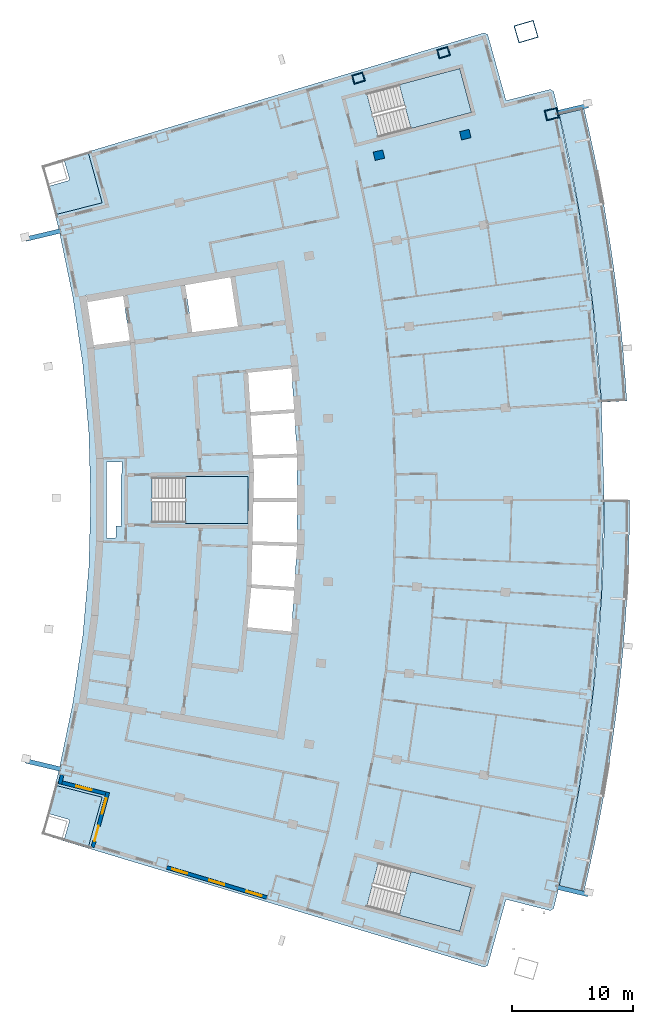
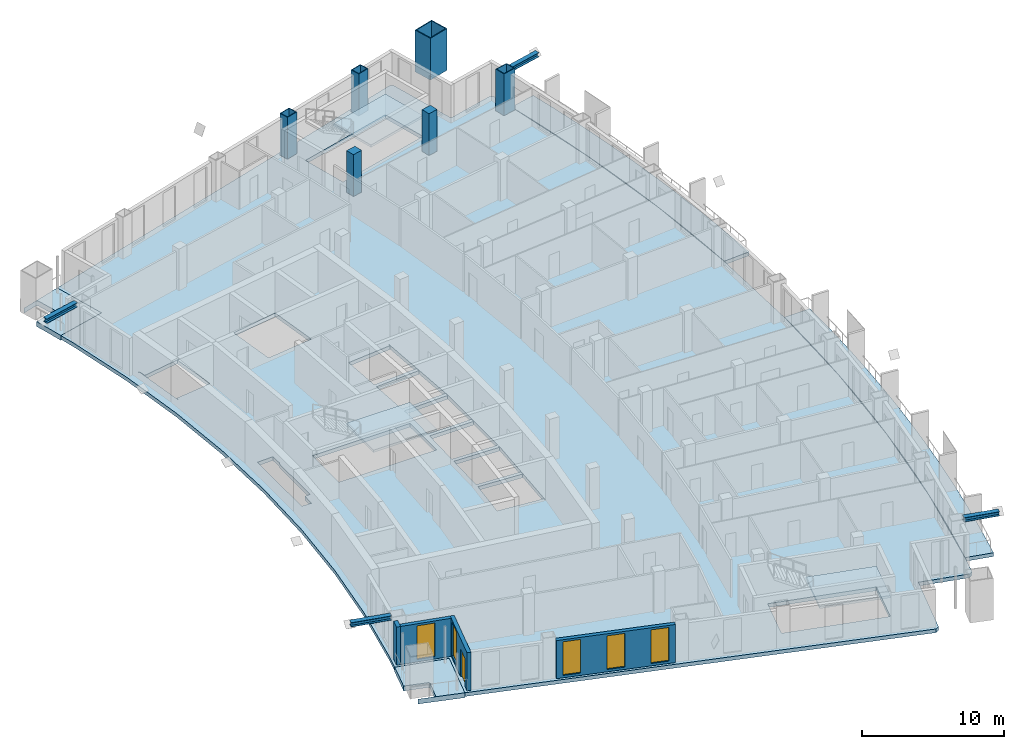
# One storey, part 8 of 17: 8 slabs, 6 columns, 5 windows, 4 members, 4 walls, 1 door, 6 openings, 3 elements without a shape of their own.
"""IFC4 building model written with IfcOpenShell, lengths in metres."""

from ifc_helpers import new_model, si_unit, direction, frame, frame_2d, origin, origin_2d, place, context, subcontext, project, spatial, polyline, rectangle, hollow_rectangle, i_section, outline, extrude, material, layer, layer_set, material_profile, profile_set, type_object, element, fill, aggregate, save


model = new_model("IFC4")

# Units and contexts
model_context = context("Model", 3, precision=1e-05, world=origin(), true_north=direction((0.0, 1.0)))
body_context = subcontext(model_context, "Body", "Model", "MODEL_VIEW")
ifc_project = project(units=[si_unit("LENGTHUNIT", "METRE"), si_unit("AREAUNIT", "SQUARE_METRE"), si_unit("VOLUMEUNIT", "CUBIC_METRE"), si_unit("PLANEANGLEUNIT", "RADIAN"), si_unit("MASSUNIT", "GRAM", prefix="KILO")], contexts=[model_context])

# Site, building, storey
site_placement = place(None, origin())
site = spatial("IfcSite", under=ifc_project, at=site_placement, CompositionType="ELEMENT")
building_placement = place(site_placement, origin())
building = spatial("IfcBuilding", under=site, at=building_placement, Name="Alderwake Tower", CompositionType="ELEMENT")
storey_placement = place(building_placement, frame((0.0, 0.0, 218.0)))
storey = spatial("IfcBuildingStorey", under=building, at=storey_placement, Name="L54", CompositionType="ELEMENT", Elevation=218.0)

# Columns
ifc_material_1 = material(Name="Steel ASTM A572 Grade 50 concrete filled C70/85", Category="concrete")
ifc_material_profile_1 = material_profile(ifc_material_1, hollow_rectangle(XDim=0.75, YDim=0.949951171875, WallThickness=0.054931640625, at=origin_2d()), Name="BOX 950X750X55")
ifc_profile_set_1 = profile_set([ifc_material_profile_1], Name="Steel ASTM A572 Grade 50 concrete filled C70/85")
column_type_1 = type_object("IfcColumnType", Name="End column Z4", PredefinedType="COLUMN", material=ifc_profile_set_1)
for number, where, z_axis, x_axis, name in (
    (1, (38.10400390625, 95.831787109375, 0.0), (0.0, 0.0, 1.0), (-0.28287886882, 0.959155641997, 0.0), "Column R12-C3"),
    (2, (45.127685546875, 97.9404296875, 0.0), (0.0, 0.0, 1.0), (-0.283141682853, 0.959078092457, 0.0), "Column R12-C4"),
):
    element("IfcColumn", number, at=place(storey_placement, frame(where, z_axis=z_axis, x_axis=x_axis)), inside=storey, type_object=column_type_1, Name=name, PredefinedType="COLUMN", context=body_context, shape_type="SweptSolid", body=[
        extrude(hollow_rectangle(XDim=0.75, YDim=0.949951171875, WallThickness=0.054931640625, at=origin_2d()), origin(), (0.0, 0.0, 1.0), 3.60009765625),
    ])
ifc_material_2 = material(Name="Concrete C70/85", Category="concrete")
ifc_material_profile_2 = material_profile(ifc_material_2, rectangle(XDim=0.699951171875, YDim=0.800048828125, at=origin_2d()), Name="RC 800X700")
ifc_profile_set_2 = profile_set([ifc_material_profile_2], Name="Concrete C70/85")
column_type_2 = type_object("IfcColumnType", Name="Interior column Z4", PredefinedType="COLUMN", material=ifc_profile_set_2)
for number, where, z_axis, x_axis, name in (
    (3, (39.79638671875, 89.47119140625, 0.0), (0.0, 0.0, 1.0), (-0.231221547198, 0.972901123502, 0.0), "Column R11-C3"),
    (4, (46.93115234375, 91.166748046875, 0.0), (0.0, 0.0, 1.0), (-0.231221547198, 0.972901123502, 0.0), "Column R11-C4"),
):
    element("IfcColumn", number, at=place(storey_placement, frame(where, z_axis=z_axis, x_axis=x_axis)), inside=storey, type_object=column_type_2, Name=name, PredefinedType="COLUMN", context=body_context, shape_type="SweptSolid", body=[
        extrude(rectangle(XDim=0.699951171875, YDim=0.800048828125, at=origin_2d()), origin(), (0.0, 0.0, 1.0), 3.60009765625),
    ])
ifc_material_3 = material(Name="Steel ASTM A572 Grade 50 concrete filled C70/85", Category="concrete")
ifc_material_profile_3 = material_profile(ifc_material_3, hollow_rectangle(XDim=1.5, YDim=1.699951171875, WallThickness=0.074951171875, at=origin_2d()), Name="BOX 1700X1500X75")
ifc_profile_set_3 = profile_set([ifc_material_profile_3], Name="Steel ASTM A572 Grade 50 concrete filled C70/85")
column_type_3 = type_object("IfcColumnType", Name="Mega column Z4", PredefinedType="COLUMN", material=ifc_profile_set_3)
column_1_placement = place(storey_placement, frame((51.9482421875, 99.677001953125, 0.0), z_axis=(0.0, 0.0, 1.0), x_axis=(-0.281288140428, 0.959623354267, 0.0)))
element("IfcColumn", 5, at=column_1_placement, inside=storey, type_object=column_type_3, Name="Column R12-C5", PredefinedType="COLUMN", context=body_context, shape_type="SweptSolid", body=[
    extrude(hollow_rectangle(XDim=1.5, YDim=1.699951171875, WallThickness=0.074951171875, at=origin_2d()), origin(), (0.0, 0.0, 1.0), 3.60009765625),
])
ifc_material_4 = material(Name="Steel ASTM A572 Grade 50 concrete filled C70/85", Category="concrete")
ifc_material_profile_4 = material_profile(ifc_material_4, hollow_rectangle(XDim=0.85009765625, YDim=1.050048828125, WallThickness=0.054931640625, at=origin_2d()), Name="BOX 1050X850X55")
ifc_profile_set_4 = profile_set([ifc_material_profile_4], Name="Steel ASTM A572 Grade 50 concrete filled C70/85")
column_type_4 = type_object("IfcColumnType", Name="Perimeter column Z4", PredefinedType="COLUMN", material=ifc_profile_set_4)
column_2_placement = place(storey_placement, frame((54.06591796875, 92.8623046875, 0.0), z_axis=(0.0, 0.0, 1.0), x_axis=(-0.231221547198, 0.972901123502, 0.0)))
element("IfcColumn", 6, at=column_2_placement, inside=storey, type_object=column_type_4, Name="Column R11-C5", PredefinedType="COLUMN", context=body_context, shape_type="SweptSolid", body=[
    extrude(hollow_rectangle(XDim=0.85009765625, YDim=1.050048828125, WallThickness=0.054931640625, at=origin_2d()), origin(), (0.0, 0.0, 1.0), 3.60009765625),
])

# Members
ifc_material_5 = material(Name="Steel ASTM A992 Grade 50", Category="steel")
ifc_material_profile_5 = material_profile(ifc_material_5, i_section(OverallWidth=0.3740234375, OverallDepth=0.372314453125, WebThickness=0.016357421875, FlangeThickness=0.026123046875, at=origin_2d()), Name="W14X132")
ifc_profile_set_5 = profile_set([ifc_material_profile_5], Name="Steel ASTM A992 Grade 50")
member_type = type_object("IfcMemberType", Name="Brace node stub W14X132", PredefinedType="MEMBER", material=ifc_profile_set_5)
member_1_placement = place(storey_placement, frame((54.527587890625, 29.02587890625, 3.393798828125), z_axis=(0.973078090943, -0.230475657991, 0.0), x_axis=(0.230475657991, 0.973078090943, 0.0)))
element("IfcMember", 7, at=member_1_placement, inside=storey, type_object=member_type, Name="Brace node stub BS.FR03-C5.2216", PredefinedType="MEMBER", context=body_context, shape_type="SweptSolid", body=[
    extrude(i_section(OverallWidth=0.3740234375, OverallDepth=0.372314453125, WebThickness=0.016357421875, FlangeThickness=0.026123046875, at=origin_2d()), origin(), (0.0, 0.0, 1.0), 2.623779296875),
])
member_2_placement = place(storey_placement, frame((54.5283203125, 92.970458984375, 3.393798828125), z_axis=(0.972749282242, 0.23185951328, 0.0), x_axis=(-0.23185951328, 0.972749282242, 0.0)))
element("IfcMember", 8, at=member_2_placement, inside=storey, type_object=member_type, Name="Brace node stub BS.FR11-C5.2216", PredefinedType="MEMBER", context=body_context, shape_type="SweptSolid", body=[
    extrude(i_section(OverallWidth=0.3740234375, OverallDepth=0.372314453125, WebThickness=0.016357421875, FlangeThickness=0.026123046875, at=origin_2d()), origin(), (0.0, 0.0, 1.0), 2.6240234375),
])
for number, where, z_axis, x_axis, name in (
    (9, (13.52001953125, 38.773681640625, 3.393798828125), (-0.972897445796, 0.231237021179, 0.0), (-0.231237021179, -0.972897445796, 0.0), "Brace node stub BS.RR03-C0.2216"),
    (10, (13.52001953125, 83.226318359375, 3.393798828125), (-0.972897445796, -0.231237021179, 0.0), (0.231237021179, -0.972897445796, 0.0), "Brace node stub BS.RR11-C0.2216"),
):
    element("IfcMember", number, at=place(storey_placement, frame(where, z_axis=z_axis, x_axis=x_axis)), inside=storey, type_object=member_type, Name=name, PredefinedType="MEMBER", context=body_context, shape_type="SweptSolid", body=[
        extrude(i_section(OverallWidth=0.3740234375, OverallDepth=0.372314453125, WebThickness=0.016357421875, FlangeThickness=0.026123046875, at=origin_2d()), origin(), (0.0, 0.0, 1.0), 2.983642578125),
    ])

# Slabs
ifc_material_6 = material(Name="Concrete C50/60", Category="concrete")
ifc_layer_1 = layer(ifc_material_6, 0.320068359375)
ifc_layer_set_1 = layer_set([ifc_layer_1], Name="Balcony slab 320")
slab_type_1 = type_object("IfcSlabType", Name="Balcony slab 320", PredefinedType="FLOOR", material=ifc_layer_set_1)
slab_1_placement = place(storey_placement, frame((0.0, 0.0, -0.320068359375)))
element("IfcSlab", 11, at=slab_1_placement, inside=storey, type_object=slab_type_1, Name="Balcony BF03", PredefinedType="FLOOR", context=body_context, shape_type="SweptSolid", body=[
    extrude(outline(polyline([(57.15185546875, 30.51025390625), (57.581787109375, 32.513427734375), (57.982666015625, 34.522705078125), (58.35400390625, 36.537841796875), (58.696044921875, 38.55810546875), (59.008544921875, 40.5830078125), (59.29150390625, 42.6123046875), (59.544921875, 44.6455078125), (59.7685546875, 46.68212890625), (59.96240234375, 48.721923828125), (60.126708984375, 50.764404296875), (60.260986328125, 52.808837890625), (60.365478515625, 54.85498046875), (60.440185546875, 56.902587890625), (60.485107421875, 58.951171875), (60.5, 61.0), (58.39990234375, 61.0), (58.38525390625, 58.981689453125), (58.341064453125, 56.9638671875), (58.267578125, 54.947021484375), (58.16455078125, 52.93115234375), (58.0322265625, 50.917236328125), (57.87060546875, 48.905517578125), (57.679443359375, 46.896240234375), (57.459228515625, 44.889892578125), (57.209716796875, 42.88720703125), (56.930908203125, 40.88818359375), (56.623046875, 38.893310546875), (56.2861328125, 36.9033203125), (55.92041015625, 34.918701171875), (55.525390625, 32.939208984375), (55.101806640625, 30.9658203125), (54.6494140625, 28.998779296875), (56.692626953125, 28.51318359375), (57.15185546875, 30.51025390625)])), origin(), (0.0, 0.0, 1.0), 0.320068359375),
])
slab_2_placement = place(storey_placement, frame((0.0, 0.0, -0.320068359375)))
element("IfcSlab", 12, at=slab_2_placement, inside=storey, type_object=slab_type_1, Name="Balcony BF08", PredefinedType="FLOOR", context=body_context, shape_type="SweptSolid", body=[
    extrude(outline(polyline([(59.96240234375, 73.278076171875), (59.7685546875, 75.31787109375), (59.544921875, 77.3544921875), (59.29150390625, 79.3876953125), (59.008544921875, 81.4169921875), (58.696044921875, 83.44189453125), (58.35400390625, 85.462158203125), (57.982666015625, 87.477294921875), (57.581787109375, 89.486572265625), (57.15185546875, 91.48974609375), (56.692626953125, 93.48681640625), (54.6494140625, 93.001220703125), (55.101806640625, 91.0341796875), (55.525390625, 89.060791015625), (55.92041015625, 87.081298828125), (56.2861328125, 85.0966796875), (56.623046875, 83.106689453125), (56.930908203125, 81.11181640625), (57.209716796875, 79.11279296875), (57.459228515625, 77.110107421875), (57.679443359375, 75.103759765625), (57.87060546875, 73.094482421875), (58.0322265625, 71.082763671875), (58.16455078125, 69.06884765625), (60.260986328125, 69.191162109375), (60.126708984375, 71.235595703125), (59.96240234375, 73.278076171875)])), origin(), (0.0, 0.0, 1.0), 0.320068359375),
])
ifc_material_7 = material(Name="Concrete C50/60", Category="concrete")
ifc_layer_2 = layer(ifc_material_7, 0.320068359375)
ifc_layer_set_2 = layer_set([ifc_layer_2], Name="Concrete C50/60 post-tensioned flat plate 320")
slab_type_2 = type_object("IfcSlabType", Name="Concrete C50/60 post-tensioned flat plate 320", PredefinedType="FLOOR", material=ifc_layer_set_2)
slab_3_placement = place(storey_placement, frame((0.0, 0.0, -0.320068359375)))
element("IfcSlab", 13, at=slab_3_placement, inside=storey, type_object=slab_type_2, Name="Floor slab L54", PredefinedType="FLOOR", context=body_context, shape_type="SweptSolid", body=[
    extrude(outline(polyline([(13.06494140625, 37.443115234375), (13.3984375, 38.802734375), (14.53369140625, 44.28564453125), (15.347412109375, 49.825439453125), (15.836669921875, 55.4033203125), (16.0, 61.0), (15.836669921875, 66.5966796875), (15.347412109375, 72.174560546875), (14.53369140625, 77.71435546875), (13.3984375, 83.197265625), (13.06494140625, 84.556884765625), (16.942626953125, 85.53857421875), (15.776611328125, 89.7548828125), (48.50341796875, 99.58056640625), (48.784912109375, 99.4248046875), (50.290771484375, 93.979736328125), (53.945556640625, 94.90478515625), (54.223388671875, 94.73779296875), (54.6494140625, 93.001220703125), (56.2861328125, 85.0966796875), (57.459228515625, 77.110107421875), (58.16455078125, 69.06884765625), (58.39990234375, 61.0), (58.16455078125, 52.93115234375), (57.459228515625, 44.889892578125), (56.2861328125, 36.9033203125), (54.6494140625, 28.998779296875), (54.223388671875, 27.26220703125), (53.945556640625, 27.09521484375), (50.290771484375, 28.020263671875), (48.784912109375, 22.5751953125), (48.50341796875, 22.41943359375), (15.776611328125, 32.2451171875), (16.942626953125, 36.46142578125), (13.06494140625, 37.443115234375)]), holes=[polyline([(29.2578125, 53.77197265625), (28.9365234375, 50.4912109375), (32.546875, 50.1376953125), (32.5322265625, 49.988525390625), (32.562255859375, 49.985595703125), (32.80126953125, 53.654541015625), (33.0400390625, 57.323486328125), (33.0400390625, 61.0), (33.0400390625, 64.676513671875), (32.80126953125, 68.345458984375), (32.562255859375, 72.014404296875), (32.532470703125, 72.011474609375), (32.547119140625, 71.8623046875), (28.886962890625, 71.50390625), (28.88720703125, 71.50048828125), (28.99462890625, 71.506591796875), (29.184814453125, 68.26025390625), (32.761474609375, 68.4931640625), (32.771240234375, 68.343505859375), (32.781005859375, 68.19384765625), (29.2021484375, 67.960693359375), (29.392578125, 64.7080078125), (33.005126953125, 64.82568359375), (33.010009765625, 64.67578125), (33.014892578125, 64.525634765625), (29.41015625, 64.408447265625), (29.4765625, 63.27685546875), (29.429443359375, 61.14990234375), (33.010009765625, 61.14990234375), (33.010009765625, 61.0), (33.010009765625, 60.85009765625), (29.4228515625, 60.85009765625), (29.350830078125, 57.593505859375), (33.014892578125, 57.474365234375), (33.010009765625, 57.32421875), (33.005126953125, 57.17431640625), (29.34423828125, 57.29345703125), (29.2705078125, 53.969482421875), (29.274169921875, 53.969482421875), (29.2783203125, 54.0341796875), (32.781005859375, 53.80615234375), (32.771240234375, 53.656494140625), (32.761474609375, 53.5068359375), (29.2587890625, 53.73486328125), (29.26123046875, 53.771728515625), (29.2578125, 53.77197265625)]), polyline([(21.050048828125, 62.875), (21.050048828125, 59.125), (29.0, 59.125), (29.0, 62.875), (21.050048828125, 62.875)]), polyline([(15.64111328125, 77.91015625), (15.487060546875, 77.8828125), (15.487548828125, 77.879150390625), (15.617919921875, 77.899169921875), (16.280029296875, 73.5927734375), (16.31005859375, 73.5966796875), (16.2841796875, 73.794921875), (19.224853515625, 74.1796875), (18.673095703125, 77.842041015625), (18.869140625, 77.87158203125), (18.8671875, 77.8837890625), (15.740234375, 77.340087890625), (15.64111328125, 77.91015625)]), polyline([(27.538330078125, 79.39111328125), (23.794921875, 78.740478515625), (24.384033203125, 74.8583984375), (24.36865234375, 74.856201171875), (24.369140625, 74.8525390625), (28.152587890625, 75.347412109375), (27.538330078125, 79.39111328125)]), polyline([(47.436279296875, 28.996826171875), (39.754150390625, 31.043212890625), (38.7890625, 27.41943359375), (46.47119140625, 25.373291015625), (47.436279296875, 28.996826171875)]), polyline([(46.47119140625, 96.626708984375), (38.7890625, 94.58056640625), (39.754150390625, 90.956787109375), (47.436279296875, 93.003173828125), (46.47119140625, 96.626708984375)]), polyline([(17.289306640625, 64.118408203125), (17.289306640625, 57.881591796875), (18.06298828125, 57.85400390625), (18.090576171875, 58.84375), (18.544189453125, 58.831298828125), (18.529296875, 58.8681640625), (18.5234375, 58.891845703125), (18.5185546875, 58.940673828125), (18.5185546875, 63.060302734375), (18.5234375, 63.109130859375), (18.53759765625, 63.156005859375), (18.560791015625, 63.19921875), (18.588623046875, 63.2333984375), (18.562744140625, 64.16357421875), (17.289306640625, 64.118408203125)])]), origin(), (0.0, 0.0, 1.0), 0.320068359375),
])

# Stair, slab
ifc_material_8 = material(Name="Concrete C40/50", Category="concrete")
stair_type = type_object("IfcStairType", Name="Core exit stair", PredefinedType="HALF_TURN_STAIR", material=ifc_material_8)
stair_1_placement = place(storey_placement, origin())
stair_1 = element("IfcStair", 14, at=stair_1_placement, inside=storey, type_object=stair_type, Name="L54 Exit Stair B", PredefinedType="HALF_TURN_STAIR")
ifc_material_9 = material(Name="Concrete C40/50", Category="concrete")
ifc_layer_3 = layer(ifc_material_9, 0.199951171875)
ifc_layer_set_3 = layer_set([ifc_layer_3], Name="Core stair landing 200")
slab_type_3 = type_object("IfcSlabType", Name="Core stair landing 200", PredefinedType="LANDING", material=ifc_layer_set_3)
slab_4_placement = place(storey_placement, frame((0.0, 0.0, 1.60009765625)))
slab_4 = element("IfcSlab", 15, at=slab_4_placement, type_object=slab_type_3, Name="ST-B landing 1", PredefinedType="LANDING", context=body_context, shape_type="SweptSolid", body=[
    extrude(outline(polyline([(23.830078125, 59.074951171875), (29.0, 59.074951171875), (29.0, 62.925048828125), (23.830078125, 62.925048828125), (23.830078125, 59.074951171875)])), origin(), (0.0, 0.0, 1.0), 0.199951171875),
])
aggregate(stair_1, [slab_4])

stair_2_placement = place(storey_placement, origin())
stair_2 = element("IfcStair", 16, at=stair_2_placement, inside=storey, type_object=stair_type, Name="L54 Exit Stair A", PredefinedType="HALF_TURN_STAIR")
slab_5_placement = place(storey_placement, frame((0.0, 0.0, 1.60009765625)))
slab_5 = element("IfcSlab", 17, at=slab_5_placement, type_object=slab_type_3, Name="ST-A landing 1", PredefinedType="LANDING", context=body_context, shape_type="SweptSolid", body=[
    extrude(outline(polyline([(42.440673828125, 91.67236328125), (47.436279296875, 93.003173828125), (46.47119140625, 96.626708984375), (41.475341796875, 95.296142578125), (42.440673828125, 91.67236328125)])), origin(), (0.0, 0.0, 1.0), 0.199951171875),
])
aggregate(stair_2, [slab_5])

stair_3_placement = place(storey_placement, origin())
stair_3 = element("IfcStair", 18, at=stair_3_placement, inside=storey, type_object=stair_type, Name="L54 Exit Stair C", PredefinedType="HALF_TURN_STAIR")
slab_6_placement = place(storey_placement, frame((0.0, 0.0, 1.60009765625)))
slab_6 = element("IfcSlab", 19, at=slab_6_placement, type_object=slab_type_3, Name="ST-C landing 1", PredefinedType="LANDING", context=body_context, shape_type="SweptSolid", body=[
    extrude(outline(polyline([(41.475341796875, 26.703857421875), (46.47119140625, 25.373291015625), (47.436279296875, 28.996826171875), (42.4404296875, 30.32763671875), (41.475341796875, 26.703857421875)])), origin(), (0.0, 0.0, 1.0), 0.199951171875),
])
aggregate(stair_3, [slab_6])

# Slabs
ifc_material_10 = material(Name="Concrete C50/60", Category="concrete")
ifc_layer_4 = layer(ifc_material_10, 0.419921875)
ifc_layer_set_4 = layer_set([ifc_layer_4], Name="Terrace slab 420")
slab_type_4 = type_object("IfcSlabType", Name="Terrace slab 420", PredefinedType="FLOOR", material=ifc_layer_set_4)
slab_7_placement = place(storey_placement, frame((0.0, 0.0, -0.419921875)))
element("IfcSlab", 20, at=slab_7_placement, inside=storey, type_object=slab_type_4, Name="Corner terrace RS", PredefinedType="FLOOR", context=body_context, shape_type="SweptSolid", body=[
    extrude(outline(polyline([(15.776611328125, 32.2451171875), (12.517333984375, 33.2236328125), (13.628662109375, 32.901123046875), (13.64306640625, 32.897705078125), (13.65771484375, 32.895751953125), (13.67236328125, 32.895263671875), (13.68701171875, 32.896240234375), (13.701416015625, 32.8984375), (13.7158203125, 32.90234375), (13.7294921875, 32.907470703125), (13.742919921875, 32.913818359375), (13.75537109375, 32.921630859375), (13.76708984375, 32.930419921875), (13.77783203125, 32.9404296875), (13.78759765625, 32.951416015625), (13.796142578125, 32.96337890625), (13.8037109375, 32.976318359375), (13.809814453125, 32.989501953125), (13.814453125, 33.00341796875), (14.232421875, 34.444091796875), (14.23583984375, 34.45849609375), (14.23779296875, 34.472900390625), (14.23828125, 34.48779296875), (14.237548828125, 34.50244140625), (14.235107421875, 34.516845703125), (14.2314453125, 34.53125), (14.226318359375, 34.544921875), (14.2197265625, 34.55810546875), (14.212158203125, 34.57080078125), (14.203125, 34.58251953125), (14.193115234375, 34.59326171875), (14.18212890625, 34.60302734375), (14.170166015625, 34.611572265625), (14.157470703125, 34.618896484375), (14.14404296875, 34.625244140625), (14.130126953125, 34.6298828125), (12.49755859375, 35.103515625), (12.483154296875, 35.10693359375), (12.468505859375, 35.10888671875), (12.453857421875, 35.109619140625), (12.4404296875, 35.108642578125), (12.71142578125, 36.08837890625), (13.06494140625, 37.443115234375), (16.942626953125, 36.46142578125), (15.776611328125, 32.2451171875)])), origin(), (0.0, 0.0, 1.0), 0.419921875),
])
slab_8_placement = place(storey_placement, frame((0.0, 0.0, -0.419921875)))
element("IfcSlab", 21, at=slab_8_placement, inside=storey, type_object=slab_type_4, Name="Corner terrace RN", PredefinedType="FLOOR", context=body_context, shape_type="SweptSolid", body=[
    extrude(outline(polyline([(12.4404296875, 86.891357421875), (12.453857421875, 86.890380859375), (12.468505859375, 86.89111328125), (12.483154296875, 86.89306640625), (12.49755859375, 86.896484375), (14.130126953125, 87.3701171875), (14.14404296875, 87.374755859375), (14.157470703125, 87.381103515625), (14.170166015625, 87.388427734375), (14.18212890625, 87.39697265625), (14.193115234375, 87.40673828125), (14.203125, 87.41748046875), (14.212158203125, 87.42919921875), (14.2197265625, 87.44189453125), (14.226318359375, 87.455078125), (14.2314453125, 87.46875), (14.235107421875, 87.483154296875), (14.237548828125, 87.49755859375), (14.23828125, 87.51220703125), (14.23779296875, 87.527099609375), (14.23583984375, 87.54150390625), (14.232421875, 87.555908203125), (13.814453125, 88.99658203125), (13.809814453125, 89.010498046875), (13.8037109375, 89.023681640625), (13.796142578125, 89.03662109375), (13.78759765625, 89.048583984375), (13.77783203125, 89.0595703125), (13.76708984375, 89.069580078125), (13.75537109375, 89.078369140625), (13.742919921875, 89.086181640625), (13.7294921875, 89.092529296875), (13.7158203125, 89.09765625), (13.701416015625, 89.1015625), (13.68701171875, 89.103759765625), (13.67236328125, 89.104736328125), (13.65771484375, 89.104248046875), (13.64306640625, 89.102294921875), (13.628662109375, 89.098876953125), (12.517333984375, 88.7763671875), (15.776611328125, 89.7548828125), (16.942626953125, 85.53857421875), (13.06494140625, 84.556884765625), (12.71142578125, 85.91162109375), (12.4404296875, 86.891357421875)])), origin(), (0.0, 0.0, 1.0), 0.419921875),
])

# Wall
ifc_material_11 = material(Name="Precast concrete C50/60 spandrel panel", Category="concrete")
ifc_layer_5 = layer(ifc_material_11, 0.300048828125)
ifc_layer_set_5 = layer_set([ifc_layer_5], Name="External wall EW1 Precast concrete C50/60 spandrel")
wall_type_1 = type_object("IfcWallType", Name="External wall EW1 Precast concrete C50/60 spandrel", PredefinedType="SOLIDWALL", material=ifc_layer_set_5)
wall_1_placement = place(storey_placement, frame((13.63720703125, 38.30712890625, 0.0), z_axis=(0.0, 0.0, 1.0), x_axis=(-0.23817684901, -0.971221801957, 0.0)))
element("IfcWall", 22, at=wall_1_placement, inside=storey, type_object=wall_type_1, Name="External wall 1", PredefinedType="SOLIDWALL", context=body_context, shape_type="SweptSolid", body=[
    extrude(rectangle(XDim=0.778076171875, YDim=0.300048828125, at=frame_2d((0.38916015625, 0.0))), origin(), (0.0, 0.0, 1.0), 3.280029296875),
])

# Wall, opening, window
ifc_material_12 = material(Name="Bronze metal cladding on lightweight framing")
ifc_layer_6 = layer(ifc_material_12, 0.300048828125)
ifc_layer_set_6 = layer_set([ifc_layer_6], Name="External wall EW2 bronze metal cladding")
wall_type_2 = type_object("IfcWallType", Name="External wall EW2 bronze metal cladding", PredefinedType="SOLIDWALL", material=ifc_layer_set_6)
wall_2_placement = place(storey_placement, frame((13.633056640625, 37.660400390625, 0.0), z_axis=(0.0, 0.0, 1.0), x_axis=(0.969417366605, -0.245417948254, 0.0)))
wall_2 = element("IfcWall", 23, at=wall_2_placement, inside=storey, type_object=wall_type_2, Name="External wall 2", PredefinedType="SOLIDWALL", context=body_context, shape_type="SweptSolid", body=[
    extrude(rectangle(XDim=3.70556640625, YDim=0.300048828125, at=frame_2d((1.852783203125, 0.0))), origin(), (0.0, 0.0, 1.0), 3.280029296875),
])
opening_1_placement = place(wall_2_placement, frame((1.202880859375, 0.0, 0.199951171875)))
opening_1 = element("IfcOpeningElement", 24, at=opening_1_placement, cuts=wall_2, Name="Opening W1", PredefinedType="OPENING", context=body_context, shape_type="SweptSolid", body=[
    extrude(rectangle(XDim=1.300048828125, YDim=2.89990234375, at=frame_2d((0.64990234375, 1.449951171875))), frame((0.0, 0.159912109375, 0.0), z_axis=(0.0, -1.0, 0.0), x_axis=(1.0, 0.0, 0.0)), (0.0, 0.0, 1.0), 0.320068359375),
])
ifc_material_13 = material(Name="Bronze tinted glass in aluminium frame", Category="aluminium")
window_type = type_object("IfcWindowType", Name="Window W1 tall fixed and vent", PartitioningType="DOUBLE_PANEL_VERTICAL", PredefinedType="WINDOW", material=ifc_material_13)
window_1_placement = place(opening_1_placement, origin())
window_1 = element("IfcWindow", 25, at=window_1_placement, inside=storey, type_object=window_type, Name="Window W1 tall fixed and vent", OverallHeight=2.89990234375, OverallWidth=1.300048828125, PartitioningType="DOUBLE_PANEL_VERTICAL", PredefinedType="WINDOW", context=body_context, shape_type="SweptSolid", body=[
    extrude(rectangle(XDim=1.300048828125, YDim=2.89990234375, at=frame_2d((0.64990234375, 1.449951171875))), frame((0.0, 0.030029296875, 0.0), z_axis=(0.0, -1.0, 0.0), x_axis=(1.0, 0.0, 0.0)), (0.0, 0.0, 1.0), 0.06005859375),
])
fill(opening_1, window_1)

# Wall, openings, door, window
wall_3_placement = place(storey_placement, frame((17.410400390625, 36.85888671875, 0.0), z_axis=(0.0, 0.0, 1.0), x_axis=(-0.264592640785, -0.96436027212, 0.0)))
wall_3 = element("IfcWall", 26, at=wall_3_placement, inside=storey, type_object=wall_type_2, Name="External wall 3", PredefinedType="SOLIDWALL", context=body_context, shape_type="SweptSolid", body=[
    extrude(rectangle(XDim=4.690185546875, YDim=0.300048828125, at=frame_2d((2.34521484375, 0.0))), origin(), (0.0, 0.0, 1.0), 3.280029296875),
])
opening_2_placement = place(wall_3_placement, frame((0.5224609375, 0.0, 0.199951171875)))
opening_2 = element("IfcOpeningElement", 27, at=opening_2_placement, cuts=wall_3, Name="Opening W1", PredefinedType="OPENING", context=body_context, shape_type="SweptSolid", body=[
    extrude(rectangle(XDim=1.300048828125, YDim=2.89990234375, at=frame_2d((0.64990234375, 1.449951171875))), frame((0.0, 0.159912109375, 0.0), z_axis=(0.0, -1.0, 0.0), x_axis=(1.0, 0.0, 0.0)), (0.0, 0.0, 1.0), 0.320068359375),
])
opening_3_placement = place(wall_3_placement, frame((2.867431640625, 0.0, 0.0)))
opening_3 = element("IfcOpeningElement", 28, at=opening_3_placement, cuts=wall_3, Name="Opening D01", PredefinedType="OPENING", context=body_context, shape_type="SweptSolid", body=[
    extrude(rectangle(XDim=1.300048828125, YDim=2.39990234375, at=frame_2d((0.64990234375, 1.199951171875))), frame((0.0, 0.159912109375, 0.0), z_axis=(0.0, -1.0, 0.0), x_axis=(1.0, 0.0, 0.0)), (0.0, 0.0, 1.0), 0.320068359375),
])
ifc_material_14 = material(Name="Bronze tinted glass in aluminium frame", Category="aluminium")
door_type = type_object("IfcDoorType", Name="Balcony door BD sliding", OperationType="SLIDING_TO_LEFT", PredefinedType="DOOR", material=ifc_material_14)
door_placement = place(opening_3_placement, origin())
door = element("IfcDoor", 29, at=door_placement, inside=storey, type_object=door_type, Name="Door D01", OperationType="SLIDING_TO_LEFT", OverallHeight=2.39990234375, OverallWidth=1.300048828125, PredefinedType="DOOR", context=body_context, shape_type="SweptSolid", body=[
    extrude(rectangle(XDim=1.300048828125, YDim=2.39990234375, at=frame_2d((0.64990234375, 1.199951171875))), frame((0.0, 0.02490234375, 0.0), z_axis=(0.0, -1.0, 0.0), x_axis=(1.0, 0.0, 0.0)), (0.0, 0.0, 1.0), 0.050048828125),
])
fill(opening_3, door)
window_2_placement = place(opening_2_placement, origin())
window_2 = element("IfcWindow", 30, at=window_2_placement, inside=storey, type_object=window_type, Name="Window W1 tall fixed and vent", OverallHeight=2.89990234375, OverallWidth=1.300048828125, PartitioningType="DOUBLE_PANEL_VERTICAL", PredefinedType="WINDOW", context=body_context, shape_type="SweptSolid", body=[
    extrude(rectangle(XDim=1.300048828125, YDim=2.89990234375, at=frame_2d((0.64990234375, 1.449951171875))), frame((0.0, 0.030029296875, 0.0), z_axis=(0.0, -1.0, 0.0), x_axis=(1.0, 0.0, 0.0)), (0.0, 0.0, 1.0), 0.06005859375),
])
fill(opening_2, window_2)

# Wall, openings, windows
wall_4_placement = place(storey_placement, frame((22.270751953125, 30.660888671875, 0.0), z_axis=(0.0, 0.0, 1.0), x_axis=(0.957767198916, -0.287544766394, 0.0)))
wall_4 = element("IfcWall", 31, at=wall_4_placement, inside=storey, type_object=wall_type_2, Name="External wall 5", PredefinedType="SOLIDWALL", context=body_context, shape_type="SweptSolid", body=[
    extrude(rectangle(XDim=8.64599609375, YDim=0.300048828125, at=frame_2d((4.322998046875, 0.0))), origin(), (0.0, 0.0, 1.0), 3.280029296875),
])
opening_4_placement = place(wall_4_placement, frame((0.472900390625, 0.0, 0.199951171875)))
opening_4 = element("IfcOpeningElement", 32, at=opening_4_placement, cuts=wall_4, Name="Opening W1", PredefinedType="OPENING", context=body_context, shape_type="SweptSolid", body=[
    extrude(rectangle(XDim=1.300048828125, YDim=2.89990234375, at=frame_2d((0.64990234375, 1.449951171875))), frame((0.0, 0.159912109375, 0.0), z_axis=(0.0, -1.0, 0.0), x_axis=(1.0, 0.0, 0.0)), (0.0, 0.0, 1.0), 0.320068359375),
])
opening_5_placement = place(wall_4_placement, frame((3.673095703125, 0.0, 0.199951171875)))
opening_5 = element("IfcOpeningElement", 33, at=opening_5_placement, cuts=wall_4, Name="Opening W1", PredefinedType="OPENING", context=body_context, shape_type="SweptSolid", body=[
    extrude(rectangle(XDim=1.300048828125, YDim=2.89990234375, at=frame_2d((0.64990234375, 1.449951171875))), frame((0.0, 0.159912109375, 0.0), z_axis=(0.0, -1.0, 0.0), x_axis=(1.0, 0.0, 0.0)), (0.0, 0.0, 1.0), 0.320068359375),
])
opening_6_placement = place(wall_4_placement, frame((6.873046875, 0.0, 0.199951171875)))
opening_6 = element("IfcOpeningElement", 34, at=opening_6_placement, cuts=wall_4, Name="Opening W1", PredefinedType="OPENING", context=body_context, shape_type="SweptSolid", body=[
    extrude(rectangle(XDim=1.300048828125, YDim=2.89990234375, at=frame_2d((0.64990234375, 1.449951171875))), frame((0.0, 0.159912109375, 0.0), z_axis=(0.0, -1.0, 0.0), x_axis=(1.0, 0.0, 0.0)), (0.0, 0.0, 1.0), 0.320068359375),
])
window_3_placement = place(opening_4_placement, origin())
window_3 = element("IfcWindow", 35, at=window_3_placement, inside=storey, type_object=window_type, Name="Window W1 tall fixed and vent", OverallHeight=2.89990234375, OverallWidth=1.300048828125, PartitioningType="DOUBLE_PANEL_VERTICAL", PredefinedType="WINDOW", context=body_context, shape_type="SweptSolid", body=[
    extrude(rectangle(XDim=1.300048828125, YDim=2.89990234375, at=frame_2d((0.64990234375, 1.449951171875))), frame((0.0, 0.030029296875, 0.0), z_axis=(0.0, -1.0, 0.0), x_axis=(1.0, 0.0, 0.0)), (0.0, 0.0, 1.0), 0.06005859375),
])
fill(opening_4, window_3)
window_4_placement = place(opening_5_placement, origin())
window_4 = element("IfcWindow", 36, at=window_4_placement, inside=storey, type_object=window_type, Name="Window W1 tall fixed and vent", OverallHeight=2.89990234375, OverallWidth=1.300048828125, PartitioningType="DOUBLE_PANEL_VERTICAL", PredefinedType="WINDOW", context=body_context, shape_type="SweptSolid", body=[
    extrude(rectangle(XDim=1.300048828125, YDim=2.89990234375, at=frame_2d((0.64990234375, 1.449951171875))), frame((0.0, 0.030029296875, 0.0), z_axis=(0.0, -1.0, 0.0), x_axis=(1.0, 0.0, 0.0)), (0.0, 0.0, 1.0), 0.06005859375),
])
fill(opening_5, window_4)
window_5_placement = place(opening_6_placement, origin())
window_5 = element("IfcWindow", 37, at=window_5_placement, inside=storey, type_object=window_type, Name="Window W1 tall fixed and vent", OverallHeight=2.89990234375, OverallWidth=1.300048828125, PartitioningType="DOUBLE_PANEL_VERTICAL", PredefinedType="WINDOW", context=body_context, shape_type="SweptSolid", body=[
    extrude(rectangle(XDim=1.300048828125, YDim=2.89990234375, at=frame_2d((0.64990234375, 1.449951171875))), frame((0.0, 0.030029296875, 0.0), z_axis=(0.0, -1.0, 0.0), x_axis=(1.0, 0.0, 0.0)), (0.0, 0.0, 1.0), 0.06005859375),
])
fill(opening_6, window_5)

save(model, "model.ifc")
